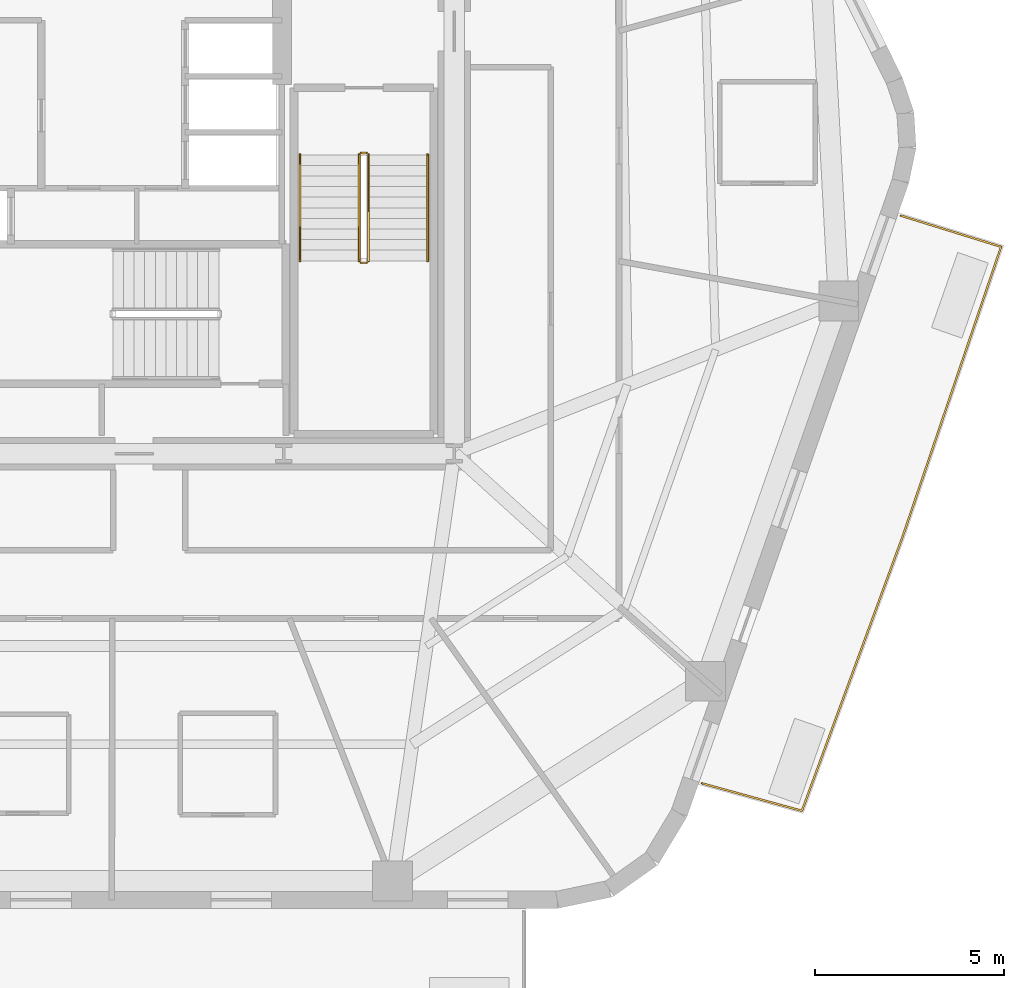
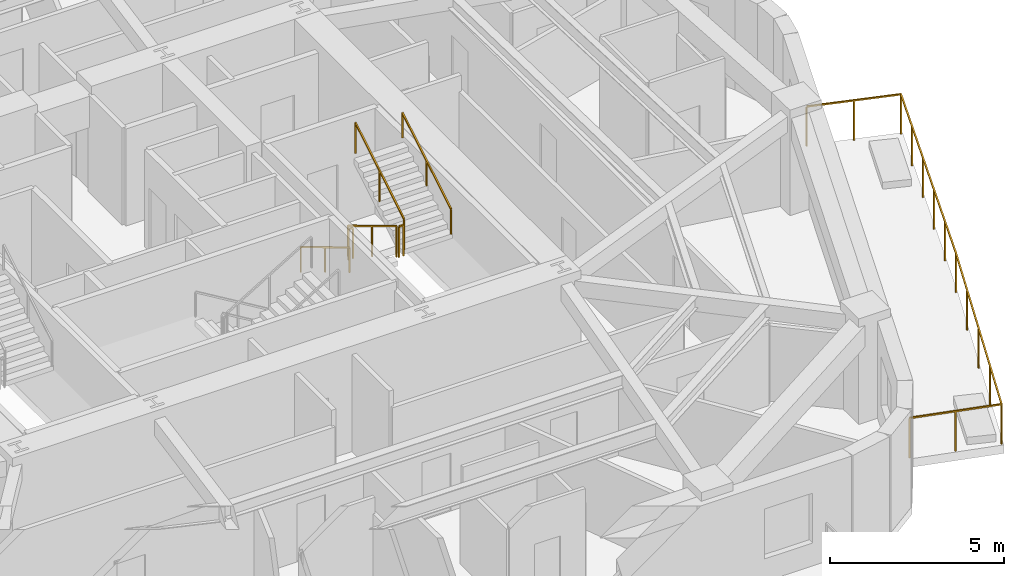
# One storey, part 10 of 11: 7 railings.
"""IFC4 building model written with IfcOpenShell, lengths in metres."""

import ifcopenshell
import ifcopenshell.guid

model = None  # the IFC model being written
_history = None  # IfcOwnerHistory: only IFC2X3 demands one
_inside = {}  # id of a spatial element -> (the spatial element, [elements in it])
_under = {}  # id of a project, library or spatial element -> (it, [spatial elements below it])
_declared = {}  # id of a project -> (the project, [libraries it declares])
_typed = {}  # id of a type object -> (the type object, [elements of that type])
_made_of = {}  # id of a material, layer set ... -> (it, [elements and type objects made of it])


def new_model(schema):
    """Start an empty IFC model of exactly this schema.

    Asked for "IFC4X3", IfcOpenShell would pick the latest addendum, in which some entities
    have other attributes; the version numbers below select the first issue.
    IFC2X3 requires an IfcOwnerHistory on every rooted entity: one is made here for all.
    """
    global model, _history
    if schema == "IFC4X3":
        model = ifcopenshell.file(schema_version=(4, 3, 0, 0))
    else:
        model = ifcopenshell.file(schema=schema)
    _inside.clear()
    _under.clear()
    _declared.clear()
    _typed.clear()
    _made_of.clear()
    _history = None
    if model.schema == "IFC2X3":
        org = make("IfcOrganization", Name="unknown")
        user = make(
            "IfcPersonAndOrganization",
            ThePerson=make("IfcPerson", FamilyName="unknown"),
            TheOrganization=org,
        )
        app = make(
            "IfcApplication",
            ApplicationDeveloper=org,
            Version="unknown",
            ApplicationFullName="unknown",
            ApplicationIdentifier="unknown",
        )
        _history = make(
            "IfcOwnerHistory",
            OwningUser=user,
            OwningApplication=app,
            ChangeAction="ADDED",
            CreationDate=0,
        )
    return model


def make(cls, **values):
    """One entity of the class cls with the attributes given. An attribute that is None is left unset."""
    return model.create_entity(
        cls, **{name: value for name, value in values.items() if value is not None}
    )


def rooted(cls, **values):
    """An entity with a GlobalId (a new one), such as an element, a storey or a relation."""
    return make(cls, GlobalId=ifcopenshell.guid.new(), OwnerHistory=_history, **values)


def si_unit(unit_type, name, prefix=None):
    """IfcSIUnit, for example si_unit("LENGTHUNIT", "METRE", prefix="MILLI")."""
    return make("IfcSIUnit", UnitType=unit_type, Prefix=prefix, Name=name)


def assignment(units):
    """IfcUnitAssignment: the units of a project."""
    return None if units is None else make("IfcUnitAssignment", Units=units)


def point(xyz):
    """IfcCartesianPoint."""
    return None if xyz is None else make("IfcCartesianPoint", Coordinates=xyz)


def direction(xyz):
    """IfcDirection."""
    return None if xyz is None else make("IfcDirection", DirectionRatios=xyz)


def frame(location, z_axis=None, x_axis=None):
    """IfcAxis2Placement3D, a coordinate frame: its origin and axes. An axis left out is left unset."""
    return make(
        "IfcAxis2Placement3D",
        Location=point(location),
        Axis=direction(z_axis),
        RefDirection=direction(x_axis),
    )


def frame_2d(location, x_axis=None):
    """IfcAxis2Placement2D, a coordinate frame in the plane: its origin and x axis."""
    return make(
        "IfcAxis2Placement2D", Location=point(location), RefDirection=direction(x_axis)
    )


def origin():
    """The frame at (0, 0, 0) with its axes left unset."""
    return frame((0.0, 0.0, 0.0))


def origin_2d():
    """The frame at (0, 0) in the plane with its x axis left unset."""
    return frame_2d((0.0, 0.0))


def place(relative_to, where):
    """IfcLocalPlacement: puts the frame where relative to a parent placement (None: the world)."""
    return make(
        "IfcLocalPlacement", PlacementRelTo=relative_to, RelativePlacement=where
    )


def context(
    kind, dimensions, precision=None, world=None, true_north=None, identifier=None
):
    """IfcGeometricRepresentationContext, for example the 3D "Model" context."""
    return make(
        "IfcGeometricRepresentationContext",
        ContextIdentifier=identifier,
        ContextType=kind,
        CoordinateSpaceDimension=dimensions,
        Precision=precision,
        WorldCoordinateSystem=world,
        TrueNorth=true_north,
    )


def subcontext(parent, identifier, kind, view, scale=None):
    """IfcGeometricRepresentationSubContext, for example "Body" below "Model"."""
    return make(
        "IfcGeometricRepresentationSubContext",
        ContextIdentifier=identifier,
        ContextType=kind,
        ParentContext=parent,
        TargetScale=scale,
        TargetView=view,
    )


def project(units=None, contexts=None):
    """IfcProject with its units and contexts."""
    return rooted(
        "IfcProject",
        Name="project",
        RepresentationContexts=contexts,
        UnitsInContext=assignment(units),
    )


def spatial(cls, under=None, at=None, **own):
    """A site, building, storey or space (cls), placed at a placement, below another one or the project."""
    s = rooted(cls, ObjectPlacement=at, **own)
    if under is not None:
        _under.setdefault(under.id(), (under, []))[1].append(s)
    return s


def profile(cls, at=None, kind="AREA", **sizes):
    """A parametric profile (cls). Its sizes go by their IFC names, for example OverallWidth=200.0."""
    return make(cls, ProfileType=kind, Position=at, **sizes)


def rectangle(**sizes):
    """IfcRectangleProfileDef."""
    return profile("IfcRectangleProfileDef", **sizes)


def extrude(swept, where, along, depth):
    """IfcExtrudedAreaSolid: the profile swept, set in the frame where, extruded along a direction by depth."""
    return make(
        "IfcExtrudedAreaSolid",
        SweptArea=swept,
        Position=where,
        ExtrudedDirection=direction(along),
        Depth=depth,
    )


def shape(context_of_items, identifier, shape_type, items):
    """IfcShapeRepresentation: the items that make up one representation, for example the "Body"."""
    return make(
        "IfcShapeRepresentation",
        ContextOfItems=context_of_items,
        RepresentationIdentifier=identifier,
        RepresentationType=shape_type,
        Items=items,
    )


def material(Name=None, Category=None):
    """IfcMaterial."""
    return make("IfcMaterial", Name=Name, Category=Category)


def layer(
    of_material, thickness, ventilated=None, Name=None, Category=None, Priority=None
):
    """IfcMaterialLayer: one layer of a wall or slab, of a material (None: an air gap)."""
    return make(
        "IfcMaterialLayer",
        Material=of_material,
        LayerThickness=thickness,
        IsVentilated=ventilated,
        Name=Name,
        Category=Category,
        Priority=Priority,
    )


def layer_set(layers, Name=None):
    """IfcMaterialLayerSet."""
    return make("IfcMaterialLayerSet", MaterialLayers=layers, LayerSetName=Name)


def made_of(thing, what):
    """Note that an element or type object is made of a material, layer set ...; save() writes the relation."""
    if what is not None:
        _made_of.setdefault(what.id(), (what, []))[1].append(thing)
    return thing


def type_object(cls, material=None, **own):
    """A type object (cls), such as IfcWallType, which elements share."""
    return made_of(rooted(cls, **own), material)


def element(
    cls,
    number,
    at=None,
    inside=None,
    cuts=None,
    type_object=None,
    material=None,
    context=None,
    identifier="Body",
    shape_type=None,
    held_by="IfcProductDefinitionShape",
    body=None,
    shapes=None,
    **own,
):
    """One element of the class cls, such as IfcWall. Its Tag is "e" and its number.

    at: its placement. inside: the storey or other place that contains it. cuts: it is an
    opening in that element (IfcRelVoidsElement). A single representation is given by context,
    identifier, shape_type and body (its items); several are given by shapes. held_by: the class
    of the entity that holds the representations. save() writes the other relations.
    """
    e = rooted(cls, Tag="e%d" % number, ObjectPlacement=at, **own)
    if body is not None:
        shapes = [shape(context, identifier, shape_type, body)]
    if shapes is not None:
        e.Representation = make(held_by, Representations=shapes)
    if inside is not None:
        _inside.setdefault(inside.id(), (inside, []))[1].append(e)
    if cuts is not None:
        rooted(
            "IfcRelVoidsElement", RelatingBuildingElement=cuts, RelatedOpeningElement=e
        )
    if type_object is not None:
        _typed.setdefault(type_object.id(), (type_object, []))[1].append(e)
    return made_of(e, material)


def aggregate(whole, parts):
    """IfcRelAggregates: a whole, such as a stair, and the parts it consists of."""
    return rooted("IfcRelAggregates", RelatingObject=whole, RelatedObjects=parts)


def save(model, path):
    """Write the relations noted so far, then the file.

    IfcRelAggregates (storeys below a building ...), IfcRelContainedInSpatialStructure (elements
    in a storey), IfcRelDefinesByType, IfcRelAssociatesMaterial and IfcRelDeclares: one each for
    every whole, place, type object, material and project.
    """
    for whole, parts in _under.values():
        aggregate(whole, parts)
    for where, things in _inside.values():
        rooted(
            "IfcRelContainedInSpatialStructure",
            RelatedElements=things,
            RelatingStructure=where,
        )
    for kind, things in _typed.values():
        rooted("IfcRelDefinesByType", RelatedObjects=things, RelatingType=kind)
    for what, things in _made_of.values():
        rooted("IfcRelAssociatesMaterial", RelatedObjects=things, RelatingMaterial=what)
    for by, libraries in _declared.values():
        rooted("IfcRelDeclares", RelatingContext=by, RelatedDefinitions=libraries)
    model.write(path)


model = new_model("IFC4")

# Units and contexts
model_context = context("Model", 3, precision=1e-05, world=origin(), true_north=direction((0.0, 1.0)))
body_context = subcontext(model_context, "Body", "Model", "MODEL_VIEW")
ifc_project = project(units=[si_unit("LENGTHUNIT", "METRE"), si_unit("AREAUNIT", "SQUARE_METRE"), si_unit("VOLUMEUNIT", "CUBIC_METRE"), si_unit("PLANEANGLEUNIT", "RADIAN"), si_unit("MASSUNIT", "GRAM", prefix="KILO")], contexts=[model_context])

# Site, building, storey
site_placement = place(None, origin())
site = spatial("IfcSite", under=ifc_project, at=site_placement, CompositionType="ELEMENT")
building_placement = place(site_placement, origin())
building = spatial("IfcBuilding", under=site, at=building_placement, Name="Kilnhurst Terrace Hotel", CompositionType="ELEMENT")
storey_placement = place(building_placement, frame((0.0, 0.0, 162.800048828125)))
storey = spatial("IfcBuildingStorey", under=building, at=storey_placement, Name="L40", CompositionType="ELEMENT", Elevation=162.800048828125)

# Railings
ifc_material_1 = material(Name="Laminated SentryGlas and Stainless Steel AISI 316L Balustrade", Category="steel")
ifc_layer_1 = layer(ifc_material_1, 0.070068359375, Name="Laminated SentryGlas and Stainless Steel AISI 316L Balustrade")
ifc_layer_set_1 = layer_set([ifc_layer_1], Name="Laminated SentryGlas and Stainless Steel AISI 316L Balustrade")
railing_type_1 = type_object("IfcRailingType", Name="RLG-BAL-1420", PredefinedType="BALUSTRADE", material=ifc_layer_set_1)
railing_1_placement = place(storey_placement, frame((20.783935546875, -1.215087890625, 0.0)))
element("IfcRailing", 1, at=railing_1_placement, inside=storey, type_object=railing_type_1, Name="L40 Exterior Terrace Guardrail BAL-L1B.1", PredefinedType="BALUSTRADE", context=body_context, shape_type="SweptSolid", body=[
    extrude(rectangle(XDim=0.048095703125, YDim=0.048095703125, at=origin_2d()), frame((0.0, 0.0, 1.39599609375), z_axis=(0.954948187333, -0.29677257203, 0.0), x_axis=(0.29677257203, 0.954948187333, 0.0)), (0.0, 0.0, 1.0), 2.7763671875),
    extrude(rectangle(XDim=0.048095703125, YDim=0.048095703125, at=origin_2d()), frame((2.6513671875, -0.823974609375, 1.39599609375), z_axis=(-0.321641701575, -0.946861455445, 0.0), x_axis=(0.946861455445, -0.321641701575, 0.0)), (0.0, 0.0, 1.0), 8.082275390625),
    extrude(rectangle(XDim=0.048095703125, YDim=0.048095703125, at=origin_2d()), frame((0.0517578125, -8.476806640625, 1.39599609375), z_axis=(-0.344704120874, -0.938711387516, 0.0), x_axis=(0.938711387516, -0.344704120874, 0.0)), (0.0, 0.0, 1.0), 7.7080078125),
    extrude(rectangle(XDim=0.048095703125, YDim=0.048095703125, at=origin_2d()), frame((-2.605224609375, -15.71240234375, 1.39599609375), z_axis=(-0.964239560757, 0.265032204593, 0.0), x_axis=(-0.265032204593, -0.964239560757, 0.0)), (0.0, 0.0, 1.0), 2.739501953125),
    extrude(rectangle(XDim=0.0419921875, YDim=0.0419921875, at=origin_2d()), origin(), (0.0, 0.0, 1.0), 1.371826171875),
    extrude(rectangle(XDim=0.0419921875, YDim=0.0419921875, at=origin_2d()), frame((1.32568359375, -0.412109375, 0.0)), (0.0, 0.0, 1.0), 1.371826171875),
    extrude(rectangle(XDim=0.0419921875, YDim=0.0419921875, at=origin_2d()), frame((2.6513671875, -0.823974609375, 0.0)), (0.0, 0.0, 1.0), 1.371826171875),
    extrude(rectangle(XDim=0.0419921875, YDim=0.0419921875, at=origin_2d()), frame((2.13134765625, -2.3544921875, 0.0)), (0.0, 0.0, 1.0), 1.371826171875),
    extrude(rectangle(XDim=0.0419921875, YDim=0.0419921875, at=origin_2d()), frame((1.611572265625, -3.885009765625, 0.0)), (0.0, 0.0, 1.0), 1.371826171875),
    extrude(rectangle(XDim=0.0419921875, YDim=0.0419921875, at=origin_2d()), frame((1.091552734375, -5.415771484375, 0.0)), (0.0, 0.0, 1.0), 1.371826171875),
    extrude(rectangle(XDim=0.0419921875, YDim=0.0419921875, at=origin_2d()), frame((0.57177734375, -6.9462890625, 0.0)), (0.0, 0.0, 1.0), 1.371826171875),
    extrude(rectangle(XDim=0.0419921875, YDim=0.0419921875, at=origin_2d()), frame((0.0517578125, -8.476806640625, 0.0)), (0.0, 0.0, 1.0), 1.371826171875),
    extrude(rectangle(XDim=0.0419921875, YDim=0.0419921875, at=origin_2d()), frame((-0.612548828125, -10.28564453125, 0.0)), (0.0, 0.0, 1.0), 1.371826171875),
    extrude(rectangle(XDim=0.0419921875, YDim=0.0419921875, at=origin_2d()), frame((-1.27685546875, -12.0947265625, 0.0)), (0.0, 0.0, 1.0), 1.371826171875),
    extrude(rectangle(XDim=0.0419921875, YDim=0.0419921875, at=origin_2d()), frame((-1.94091796875, -13.903564453125, 0.0)), (0.0, 0.0, 1.0), 1.371826171875),
    extrude(rectangle(XDim=0.0419921875, YDim=0.0419921875, at=origin_2d()), frame((-2.605224609375, -15.71240234375, 0.0)), (0.0, 0.0, 1.0), 1.371826171875),
    extrude(rectangle(XDim=0.0419921875, YDim=0.0419921875, at=origin_2d()), frame((-3.926025390625, -15.349365234375, 0.0)), (0.0, 0.0, 1.0), 1.371826171875),
    extrude(rectangle(XDim=0.0419921875, YDim=0.0419921875, at=origin_2d()), frame((-5.246826171875, -14.986328125, 0.0)), (0.0, 0.0, 1.0), 1.371826171875),
])
ifc_material_2 = material(Name="Powder-Coated Steel ASTM A500 Grade B", Category="steel")
ifc_layer_2 = layer(ifc_material_2, 0.050048828125, Name="Powder-Coated Steel ASTM A500 Grade B")
ifc_layer_set_2 = layer_set([ifc_layer_2], Name="Powder-Coated Steel ASTM A500 Grade B")
railing_type_2 = type_object("IfcRailingType", Name="RLG-ST-GRD-1100", PredefinedType="GUARDRAIL", material=ifc_layer_set_2)
railing_2_placement = place(storey_placement, frame((6.489990234375, 0.389892578125, 0.168212890625)))
element("IfcRailing", 2, at=railing_2_placement, inside=storey, type_object=railing_type_2, Name="L40 ST-2 stair guard 1", PredefinedType="GUARDRAIL", context=body_context, shape_type="SweptSolid", body=[
    extrude(rectangle(XDim=0.048095703125, YDim=0.048095703125, at=origin_2d()), frame((0.0, 0.0, 1.076171875), z_axis=(0.0, -0.857255387014, 0.514891446264), x_axis=(1.0, 0.0, 0.0)), (0.0, 0.0, 1.0), 3.26611328125),
    extrude(rectangle(XDim=0.0419921875, YDim=0.0419921875, at=origin_2d()), origin(), (0.0, 0.0, 1.0), 1.052001953125),
    extrude(rectangle(XDim=0.0419921875, YDim=0.0419921875, at=origin_2d()), frame((0.0, -1.39990234375, 0.8408203125)), (0.0, 0.0, 1.0), 1.052001953125),
    extrude(rectangle(XDim=0.0419921875, YDim=0.0419921875, at=origin_2d()), frame((0.0, -2.7998046875, 1.681640625)), (0.0, 0.0, 1.0), 1.052001953125),
])
railing_3_placement = place(storey_placement, frame((6.5400390625, -2.4599609375, 1.849853515625)))
element("IfcRailing", 3, at=railing_3_placement, inside=storey, type_object=railing_type_2, Name="L40 ST-2 stair guard 2", PredefinedType="GUARDRAIL", context=body_context, shape_type="SweptSolid", body=[
    extrude(rectangle(XDim=0.048095703125, YDim=0.048095703125, at=origin_2d()), frame((0.0, 0.0, 1.076171875), z_axis=(1.0, 0.0, 0.0), x_axis=(0.0, 1.0, 0.0)), (0.0, 0.0, 1.0), 0.14990234375),
    extrude(rectangle(XDim=0.0419921875, YDim=0.0419921875, at=origin_2d()), origin(), (0.0, 0.0, 1.0), 1.052001953125),
    extrude(rectangle(XDim=0.0419921875, YDim=0.0419921875, at=origin_2d()), frame((0.14990234375, 0.0, 0.0)), (0.0, 0.0, 1.0), 1.052001953125),
])
railing_4_placement = place(storey_placement, frame((6.739990234375, -2.409912109375, 2.01806640625)))
element("IfcRailing", 4, at=railing_4_placement, inside=storey, type_object=railing_type_2, Name="L40 ST-2 stair guard 3", PredefinedType="GUARDRAIL", context=body_context, shape_type="SweptSolid", body=[
    extrude(rectangle(XDim=0.048095703125, YDim=0.048095703125, at=origin_2d()), frame((0.0, 0.0, 1.076171875), z_axis=(0.0, 0.857222391501, 0.514946377315), x_axis=(-1.0, 0.0, 0.0)), (0.0, 0.0, 1.0), 3.26611328125),
    extrude(rectangle(XDim=0.0419921875, YDim=0.0419921875, at=origin_2d()), origin(), (0.0, 0.0, 1.0), 1.052001953125),
    extrude(rectangle(XDim=0.0419921875, YDim=0.0419921875, at=origin_2d()), frame((0.0, 1.39990234375, 0.8408203125)), (0.0, 0.0, 1.0), 1.052001953125),
    extrude(rectangle(XDim=0.0419921875, YDim=0.0419921875, at=origin_2d()), frame((0.0, 2.7998046875, 1.681884765625)), (0.0, 0.0, 1.0), 1.052001953125),
])
railing_5_placement = place(storey_placement, frame((6.5400390625, 0.43994140625, 0.0)))
element("IfcRailing", 5, at=railing_5_placement, inside=storey, type_object=railing_type_2, Name="L40 ST-2 stair guard 4", PredefinedType="GUARDRAIL", context=body_context, shape_type="SweptSolid", body=[
    extrude(rectangle(XDim=0.048095703125, YDim=0.048095703125, at=origin_2d()), frame((0.0, 0.0, 1.076171875), z_axis=(1.0, 0.0, 0.0), x_axis=(0.0, 1.0, 0.0)), (0.0, 0.0, 1.0), 0.14990234375),
    extrude(rectangle(XDim=0.0419921875, YDim=0.0419921875, at=origin_2d()), origin(), (0.0, 0.0, 1.0), 1.052001953125),
    extrude(rectangle(XDim=0.0419921875, YDim=0.0419921875, at=origin_2d()), frame((0.14990234375, 0.0, 0.0)), (0.0, 0.0, 1.0), 1.052001953125),
])
ifc_material_3 = material(Name="Brushed Stainless Steel AISI 304", Category="steel")
ifc_layer_3 = layer(ifc_material_3, 0.048095703125, Name="Brushed Stainless Steel AISI 304")
ifc_layer_set_3 = layer_set([ifc_layer_3], Name="Brushed Stainless Steel AISI 304")
railing_type_3 = type_object("IfcRailingType", Name="RLG-ST-HRL-900", PredefinedType="HANDRAIL", material=ifc_layer_set_3)
railing_6_placement = place(storey_placement, frame((4.929931640625, 0.389892578125, 0.168212890625)))
element("IfcRailing", 6, at=railing_6_placement, inside=storey, type_object=railing_type_3, Name="L40 ST-2 stair handrail 1", PredefinedType="HANDRAIL", context=body_context, shape_type="SweptSolid", body=[
    extrude(rectangle(XDim=0.048095703125, YDim=0.048095703125, at=origin_2d()), frame((0.0, 0.0, 0.8759765625), z_axis=(0.0, -0.857255387014, 0.514891446264), x_axis=(1.0, 0.0, 0.0)), (0.0, 0.0, 1.0), 3.26611328125),
    extrude(rectangle(XDim=0.0419921875, YDim=0.0419921875, at=origin_2d()), origin(), (0.0, 0.0, 1.0), 0.851806640625),
    extrude(rectangle(XDim=0.0419921875, YDim=0.0419921875, at=origin_2d()), frame((0.0, -1.39990234375, 0.8408203125)), (0.0, 0.0, 1.0), 0.851806640625),
    extrude(rectangle(XDim=0.0419921875, YDim=0.0419921875, at=origin_2d()), frame((0.0, -2.7998046875, 1.681640625)), (0.0, 0.0, 1.0), 0.851806640625),
])
railing_7_placement = place(storey_placement, frame((8.300048828125, -2.409912109375, 2.01806640625)))
element("IfcRailing", 7, at=railing_7_placement, inside=storey, type_object=railing_type_3, Name="L40 ST-2 stair handrail 2", PredefinedType="HANDRAIL", context=body_context, shape_type="SweptSolid", body=[
    extrude(rectangle(XDim=0.048095703125, YDim=0.048095703125, at=origin_2d()), frame((0.0, 0.0, 0.8759765625), z_axis=(0.0, 0.857222391501, 0.514946377315), x_axis=(-1.0, 0.0, 0.0)), (0.0, 0.0, 1.0), 3.26611328125),
    extrude(rectangle(XDim=0.0419921875, YDim=0.0419921875, at=origin_2d()), origin(), (0.0, 0.0, 1.0), 0.851806640625),
    extrude(rectangle(XDim=0.0419921875, YDim=0.0419921875, at=origin_2d()), frame((0.0, 1.39990234375, 0.8408203125)), (0.0, 0.0, 1.0), 0.851806640625),
    extrude(rectangle(XDim=0.0419921875, YDim=0.0419921875, at=origin_2d()), frame((0.0, 2.7998046875, 1.681884765625)), (0.0, 0.0, 1.0), 0.851806640625),
])

save(model, "model.ifc")
